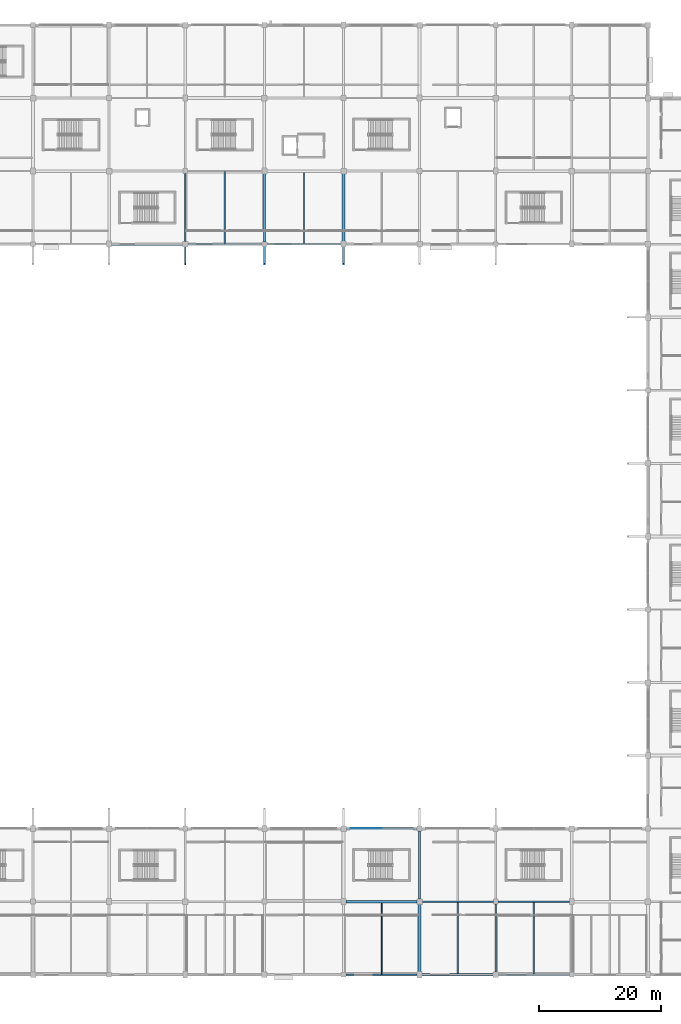
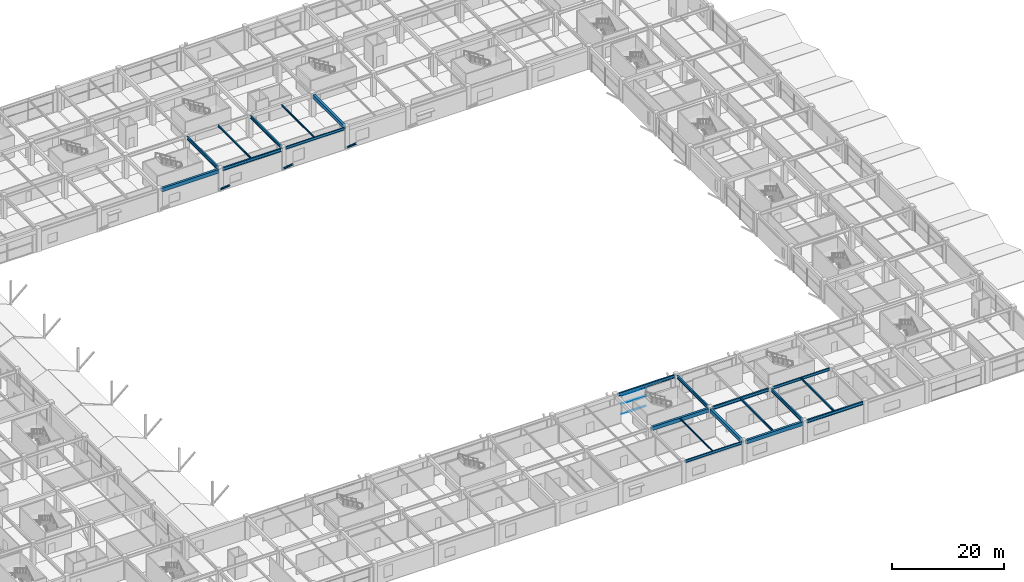
# One storey, part 31 of 116: 21 beams, 6 members, 1 element without a shape of its own.
"""IFC4 building model written with IfcOpenShell, lengths in metres."""

from ifc_helpers import new_model, si_unit, direction, frame, origin, origin_2d, place, context, subcontext, project, spatial, rectangle, i_section, extrude, material, layer, layer_set, material_profile, profile_set, type_object, element, aggregate, save


model = new_model("IFC4")

# Units and contexts
model_context = context("Model", 3, precision=1e-05, world=origin(), true_north=direction((0.0, 1.0)))
body_context = subcontext(model_context, "Body", "Model", "MODEL_VIEW")
ifc_project = project(units=[si_unit("LENGTHUNIT", "METRE"), si_unit("AREAUNIT", "SQUARE_METRE"), si_unit("VOLUMEUNIT", "CUBIC_METRE"), si_unit("PLANEANGLEUNIT", "RADIAN"), si_unit("MASSUNIT", "GRAM", prefix="KILO")], contexts=[model_context])

# Site, building, storey
site_placement = place(None, origin())
site = spatial("IfcSite", under=ifc_project, at=site_placement, CompositionType="ELEMENT")
building_placement = place(site_placement, origin())
building = spatial("IfcBuilding", under=site, at=building_placement, Name="Kazenohara Klinker Stadium", CompositionType="ELEMENT")
storey_placement = place(building_placement, frame((0.0, 0.0, 10.199951171875)))
storey = spatial("IfcBuildingStorey", under=building, at=storey_placement, Name="L02", CompositionType="ELEMENT", Elevation=10.199951171875)

# Beams
ifc_material_1 = material(Name="Steel S355", Category="steel")
ifc_material_profile_1 = material_profile(ifc_material_1, i_section(OverallWidth=0.199951171875, OverallDepth=0.5, WebThickness=0.010009765625, FlangeThickness=0.01611328125, FilletRadius=0.012939453125, at=origin_2d()), Name="H-500x200x10x16")
ifc_profile_set_1 = profile_set([ifc_material_profile_1], Name="Steel S355")
beam_type_1 = type_object("IfcBeamType", Name="BM-JST01", PredefinedType="JOIST", material=ifc_profile_set_1)
beam_1_placement = place(storey_placement, frame((143.75, 12.22509765625, 4.570068359375), z_axis=(0.0, 1.0, 0.0), x_axis=(-1.0, 0.0, 0.0)))
element("IfcBeam", 1, at=beam_1_placement, inside=storey, type_object=beam_type_1, Name="Secondary floor joist SJ01 L02 12/B", PredefinedType="JOIST", context=body_context, shape_type="SweptSolid", body=[
    extrude(i_section(OverallWidth=0.199951171875, OverallDepth=0.5, WebThickness=0.010009765625, FlangeThickness=0.01611328125, FilletRadius=0.012939453125, at=origin_2d()), origin(), (0.0, 0.0, 1.0), 11.625),
])
ifc_material_profile_2 = material_profile(ifc_material_1, i_section(OverallWidth=0.199951171875, OverallDepth=0.449951171875, WebThickness=0.009033203125, FlangeThickness=0.013916015625, FilletRadius=0.012939453125, at=origin_2d()), Name="H-450x200x9x14")
ifc_profile_set_2 = profile_set([ifc_material_profile_2], Name="Steel S355")
beam_type_2 = type_object("IfcBeamType", Name="BM-JST02", PredefinedType="JOIST", material=ifc_profile_set_2)
beam_2_placement = place(storey_placement, frame((156.25, 12.14990234375, 4.594970703125), z_axis=(0.0, 1.0, 0.0), x_axis=(-1.0, 0.0, 0.0)))
element("IfcBeam", 2, at=beam_2_placement, inside=storey, type_object=beam_type_2, Name="Secondary floor joist SJ02 L02 13/B", PredefinedType="JOIST", context=body_context, shape_type="SweptSolid", body=[
    extrude(i_section(OverallWidth=0.199951171875, OverallDepth=0.449951171875, WebThickness=0.009033203125, FlangeThickness=0.013916015625, FilletRadius=0.012939453125, at=origin_2d()), origin(), (0.0, 0.0, 1.0), 11.75),
])
ifc_material_profile_3 = material_profile(ifc_material_1, i_section(OverallWidth=0.199951171875, OverallDepth=0.39990234375, WebThickness=0.008056640625, FlangeThickness=0.012939453125, FilletRadius=0.012939453125, at=origin_2d()), Name="H-400x200x8x13")
ifc_profile_set_3 = profile_set([ifc_material_profile_3], Name="Steel S355")
beam_type_3 = type_object("IfcBeamType", Name="BM-JST03", PredefinedType="JOIST", material=ifc_profile_set_3)
beam_3_placement = place(storey_placement, frame((105.5, 132.14990234375, 4.6201171875), z_axis=(0.0, 1.0, 0.0), x_axis=(-1.0, 0.0, 0.0)))
element("IfcBeam", 3, at=beam_3_placement, inside=storey, type_object=beam_type_3, Name="Secondary floor joist SJ03 L02 9/M", PredefinedType="JOIST", context=body_context, shape_type="SweptSolid", body=[
    extrude(i_section(OverallWidth=0.199951171875, OverallDepth=0.39990234375, WebThickness=0.008056640625, FlangeThickness=0.012939453125, FilletRadius=0.012939453125, at=origin_2d()), origin(), (0.0, 0.0, 1.0), 11.75),
])
ifc_material_profile_4 = material_profile(ifc_material_1, i_section(OverallWidth=0.175048828125, OverallDepth=0.35009765625, WebThickness=0.007080078125, FlangeThickness=0.010986328125, FilletRadius=0.012939453125, at=origin_2d()), Name="H-350x175x7x11")
ifc_profile_set_4 = profile_set([ifc_material_profile_4], Name="Steel S355")
beam_type_4 = type_object("IfcBeamType", Name="BM-JST04", PredefinedType="JOIST", material=ifc_profile_set_4)
beam_4_placement = place(storey_placement, frame((118.5, 132.10009765625, 4.64501953125), z_axis=(0.0, 1.0, 0.0), x_axis=(-1.0, 0.0, 0.0)))
element("IfcBeam", 4, at=beam_4_placement, inside=storey, type_object=beam_type_4, Name="Secondary floor joist SJ04 L02 10/M", PredefinedType="JOIST", context=body_context, shape_type="SweptSolid", body=[
    extrude(i_section(OverallWidth=0.175048828125, OverallDepth=0.35009765625, WebThickness=0.007080078125, FlangeThickness=0.010986328125, FilletRadius=0.012939453125, at=origin_2d()), origin(), (0.0, 0.0, 1.0), 11.6748046875),
])
ifc_material_profile_5 = material_profile(ifc_material_1, i_section(OverallWidth=0.14990234375, OverallDepth=0.300048828125, WebThickness=0.006591796875, FlangeThickness=0.009033203125, FilletRadius=0.012939453125, at=origin_2d()), Name="H-300x150x6.5x9")
ifc_profile_set_5 = profile_set([ifc_material_profile_5], Name="Steel S355")
beam_type_5 = type_object("IfcBeamType", Name="BM-JST05", PredefinedType="JOIST", material=ifc_profile_set_5)
beam_5_placement = place(storey_placement, frame((131.25, 12.10009765625, 4.670166015625), z_axis=(0.0, 1.0, 0.0), x_axis=(-1.0, 0.0, 0.0)))
element("IfcBeam", 5, at=beam_5_placement, inside=storey, type_object=beam_type_5, Name="Secondary floor joist SJ05 L02 11/B", PredefinedType="JOIST", context=body_context, shape_type="SweptSolid", body=[
    extrude(i_section(OverallWidth=0.14990234375, OverallDepth=0.300048828125, WebThickness=0.006591796875, FlangeThickness=0.009033203125, FilletRadius=0.012939453125, at=origin_2d()), origin(), (0.0, 0.0, 1.0), 11.6748046875),
])
ifc_material_2 = material(Name="Concrete C40/50", Category="concrete")
ifc_material_profile_6 = material_profile(ifc_material_2, rectangle(XDim=0.449951171875, YDim=0.800048828125, at=origin_2d()), Name="RC-BM-450x800")
ifc_profile_set_6 = profile_set([ifc_material_profile_6], Name="Concrete C40/50")
beam_type_6 = type_object("IfcBeamType", Name="BM-RC03", PredefinedType="BEAM", material=ifc_profile_set_6)
for number, where, z_axis, x_axis, name in (
    (6, (86.89990234375, 132.0, 4.420166015625), (1.0, 0.0, 0.0), (0.0, 1.0, 0.0), "Primary girder BG03 L02 8-9/M"),
    (7, (125.39990234375, 24.0, 4.420166015625), (1.0, 0.0, 0.0), (0.0, 1.0, 0.0), "Primary girder BG03 L02 11-12/C"),
    (8, (137.89990234375, 12.0, 4.420166015625), (1.0, 0.0, 0.0), (0.0, 1.0, 0.0), "Primary girder BG03 L02 12-13/B"),
):
    element("IfcBeam", number, at=place(storey_placement, frame(where, z_axis=z_axis, x_axis=x_axis)), inside=storey, type_object=beam_type_6, Name=name, PredefinedType="BEAM", context=body_context, shape_type="SweptSolid", body=[
        extrude(rectangle(XDim=0.449951171875, YDim=0.800048828125, at=origin_2d()), origin(), (0.0, 0.0, 1.0), 11.68017578125),
    ])
for number, where, z_axis, x_axis, name in (
    (9, (125.0, 132.419921875, 4.420166015625), (0.0, 1.0, 0.0), (-1.0, 0.0, 0.0), "Primary girder BG03 L02 11/M-N"),
    (10, (137.5, 12.419921875, 4.420166015625), (0.0, 1.0, 0.0), (-1.0, 0.0, 0.0), "Primary girder BG03 L02 12/B-C"),
):
    element("IfcBeam", number, at=place(storey_placement, frame(where, z_axis=z_axis, x_axis=x_axis)), inside=storey, type_object=beam_type_6, Name=name, PredefinedType="BEAM", context=body_context, shape_type="SweptSolid", body=[
        extrude(rectangle(XDim=0.449951171875, YDim=0.800048828125, at=origin_2d()), origin(), (0.0, 0.0, 1.0), 11.16015625),
    ])
ifc_material_profile_7 = material_profile(ifc_material_1, i_section(OverallWidth=0.300048828125, OverallDepth=0.699951171875, WebThickness=0.012939453125, FlangeThickness=0.02392578125, FilletRadius=0.02197265625, at=origin_2d()), Name="H-700x300x13x24")
ifc_profile_set_7 = profile_set([ifc_material_profile_7], Name="Steel S355")
beam_type_7 = type_object("IfcBeamType", Name="BM-ST03", PredefinedType="BEAM", material=ifc_profile_set_7)
beam_6_placement = place(storey_placement, frame((99.419921875, 132.0, 4.469970703125), z_axis=(1.0, 0.0, 0.0), x_axis=(0.0, 1.0, 0.0)))
element("IfcBeam", 11, at=beam_6_placement, inside=storey, type_object=beam_type_7, Name="Primary girder SB03 L02 9-10/M", PredefinedType="BEAM", context=body_context, shape_type="SweptSolid", body=[
    extrude(i_section(OverallWidth=0.300048828125, OverallDepth=0.699951171875, WebThickness=0.012939453125, FlangeThickness=0.02392578125, FilletRadius=0.02197265625, at=origin_2d()), origin(), (0.0, 0.0, 1.0), 12.18017578125),
])
for number, where, z_axis, x_axis, name in (
    (12, (125.419921875, 36.0, 4.469970703125), (1.0, 0.0, 0.0), (0.0, 1.0, 0.0), "Primary girder SB03 L02 11-12/D"),
    (13, (137.919921875, 24.0, 4.469970703125), (1.0, 0.0, 0.0), (0.0, 1.0, 0.0), "Primary girder SB03 L02 12-13/C"),
    (14, (150.419921875, 12.0, 4.469970703125), (1.0, 0.0, 0.0), (0.0, 1.0, 0.0), "Primary girder SB03 L02 13-14/B"),
):
    element("IfcBeam", number, at=place(storey_placement, frame(where, z_axis=z_axis, x_axis=x_axis)), inside=storey, type_object=beam_type_7, Name=name, PredefinedType="BEAM", context=body_context, shape_type="SweptSolid", body=[
        extrude(i_section(OverallWidth=0.300048828125, OverallDepth=0.699951171875, WebThickness=0.012939453125, FlangeThickness=0.02392578125, FilletRadius=0.02197265625, at=origin_2d()), origin(), (0.0, 0.0, 1.0), 11.68017578125),
    ])
for number, where, z_axis, x_axis, name in (
    (15, (99.0, 132.419921875, 4.469970703125), (0.0, 1.0, 0.0), (-1.0, 0.0, 0.0), "Primary girder SB03 L02 9/M-N"),
    (16, (137.5, 24.419921875, 4.469970703125), (0.0, 1.0, 0.0), (-1.0, 0.0, 0.0), "Primary girder SB03 L02 12/C-D"),
    (17, (150.0, 12.419921875, 4.469970703125), (0.0, 1.0, 0.0), (-1.0, 0.0, 0.0), "Primary girder SB03 L02 13/B-C"),
):
    element("IfcBeam", number, at=place(storey_placement, frame(where, z_axis=z_axis, x_axis=x_axis)), inside=storey, type_object=beam_type_7, Name=name, PredefinedType="BEAM", context=body_context, shape_type="SweptSolid", body=[
        extrude(i_section(OverallWidth=0.300048828125, OverallDepth=0.699951171875, WebThickness=0.012939453125, FlangeThickness=0.02392578125, FilletRadius=0.02197265625, at=origin_2d()), origin(), (0.0, 0.0, 1.0), 11.18017578125),
    ])
ifc_material_profile_8 = material_profile(ifc_material_1, i_section(OverallWidth=0.199951171875, OverallDepth=0.60009765625, WebThickness=0.010986328125, FlangeThickness=0.01708984375, FilletRadius=0.012939453125, at=origin_2d()), Name="H-600x200x11x17")
ifc_profile_set_8 = profile_set([ifc_material_profile_8], Name="Steel S355")
beam_type_8 = type_object("IfcBeamType", Name="BM-ST04", PredefinedType="BEAM", material=ifc_profile_set_8)
beam_7_placement = place(storey_placement, frame((112.39990234375, 132.0, 4.52001953125), z_axis=(1.0, 0.0, 0.0), x_axis=(0.0, 1.0, 0.0)))
element("IfcBeam", 18, at=beam_7_placement, inside=storey, type_object=beam_type_8, Name="Primary girder SB04 L02 10-11/M", PredefinedType="BEAM", context=body_context, shape_type="SweptSolid", body=[
    extrude(i_section(OverallWidth=0.199951171875, OverallDepth=0.60009765625, WebThickness=0.010986328125, FlangeThickness=0.01708984375, FilletRadius=0.012939453125, at=origin_2d()), origin(), (0.0, 0.0, 1.0), 12.2001953125),
])
for number, where, z_axis, x_axis, name in (
    (19, (125.39990234375, 12.0, 4.52001953125), (1.0, 0.0, 0.0), (0.0, 1.0, 0.0), "Primary girder SB04 L02 11-12/B"),
    (20, (150.39990234375, 24.0, 4.52001953125), (1.0, 0.0, 0.0), (0.0, 1.0, 0.0), "Primary girder SB04 L02 13-14/C"),
):
    element("IfcBeam", number, at=place(storey_placement, frame(where, z_axis=z_axis, x_axis=x_axis)), inside=storey, type_object=beam_type_8, Name=name, PredefinedType="BEAM", context=body_context, shape_type="SweptSolid", body=[
        extrude(i_section(OverallWidth=0.199951171875, OverallDepth=0.60009765625, WebThickness=0.010986328125, FlangeThickness=0.01708984375, FilletRadius=0.012939453125, at=origin_2d()), origin(), (0.0, 0.0, 1.0), 11.7001953125),
    ])
ifc_material_profile_9 = material_profile(ifc_material_1, i_section(OverallWidth=0.300048828125, OverallDepth=0.587890625, WebThickness=0.011962890625, FlangeThickness=0.02001953125, FilletRadius=0.02197265625, at=origin_2d()), Name="H-588x300x12x20")
ifc_profile_set_9 = profile_set([ifc_material_profile_9], Name="Steel S355")
beam_type_9 = type_object("IfcBeamType", Name="BM-ST05", PredefinedType="BEAM", material=ifc_profile_set_9)
beam_8_placement = place(storey_placement, frame((112.0, 132.39990234375, 4.526123046875), z_axis=(0.0, 1.0, 0.0), x_axis=(-1.0, 0.0, 0.0)))
element("IfcBeam", 21, at=beam_8_placement, inside=storey, type_object=beam_type_9, Name="Primary girder SB05 L02 10/M-N", PredefinedType="BEAM", context=body_context, shape_type="SweptSolid", body=[
    extrude(i_section(OverallWidth=0.300048828125, OverallDepth=0.587890625, WebThickness=0.011962890625, FlangeThickness=0.02001953125, FilletRadius=0.02197265625, at=origin_2d()), origin(), (0.0, 0.0, 1.0), 11.18017578125),
])

# Curtain wall, members
ifc_material_3 = material(Name="Anodised aluminium and triple glazing", Category="aluminium")
ifc_layer = layer(ifc_material_3, 0.18994140625)
ifc_layer_set = layer_set([ifc_layer], Name="Anodised aluminium and triple glazing")
curtain_wall_type = type_object("IfcCurtainWallType", Name="CW-SYS-05", PredefinedType="USERDEFINED", material=ifc_layer_set)
curtain_wall_placement = place(storey_placement, origin())
curtain_wall = element("IfcCurtainWall", 22, at=curtain_wall_placement, inside=storey, type_object=curtain_wall_type, Name="Unitised facade curtain wall CW05 L02 X10-3", ObjectType="UNITISED CURTAIN WALL", PredefinedType="USERDEFINED")
ifc_material_4 = material(Name="Anodised aluminium 6063-T6", Category="aluminium")
ifc_material_profile_10 = material_profile(ifc_material_4, rectangle(XDim=0.06494140625, YDim=0.139892578125, at=origin_2d()), Name="ALU-TRN-65x140")
ifc_profile_set_10 = profile_set([ifc_material_profile_10], Name="Anodised aluminium 6063-T6")
member_type_1 = type_object("IfcMemberType", Name="CW-TRN-140", PredefinedType="USERDEFINED", material=ifc_profile_set_10)
member_1_placement = place(storey_placement, frame((126.1689453125, 36.0, 0.032470703125), z_axis=(1.0, 0.0, 0.0), x_axis=(0.0, 1.0, 0.0)))
member_1 = element("IfcMember", 23, at=member_1_placement, type_object=member_type_1, Name="CW05 transom 1.1", ObjectType="TRANSOM", PredefinedType="USERDEFINED", context=body_context, shape_type="SweptSolid", body=[
    extrude(rectangle(XDim=0.06494140625, YDim=0.139892578125, at=origin_2d()), origin(), (0.0, 0.0, 1.0), 5.073486328125),
])
member_2_placement = place(storey_placement, frame((126.1689453125, 36.0, 2.26611328125), z_axis=(1.0, 0.0, 0.0), x_axis=(0.0, 1.0, 0.0)))
member_2 = element("IfcMember", 24, at=member_2_placement, type_object=member_type_1, Name="CW05 transom 1.2", ObjectType="TRANSOM", PredefinedType="USERDEFINED", context=body_context, shape_type="SweptSolid", body=[
    extrude(rectangle(XDim=0.06494140625, YDim=0.139892578125, at=origin_2d()), origin(), (0.0, 0.0, 1.0), 5.073486328125),
])
member_3_placement = place(storey_placement, frame((126.1689453125, 36.0, 4.087646484375), z_axis=(1.0, 0.0, 0.0), x_axis=(0.0, 1.0, 0.0)))
member_3 = element("IfcMember", 25, at=member_3_placement, type_object=member_type_1, Name="CW05 transom 1.3", ObjectType="TRANSOM", PredefinedType="USERDEFINED", context=body_context, shape_type="SweptSolid", body=[
    extrude(rectangle(XDim=0.06494140625, YDim=0.139892578125, at=origin_2d()), origin(), (0.0, 0.0, 1.0), 5.073486328125),
])
aggregate(curtain_wall, [member_1, member_2, member_3])

# Members
ifc_material_profile_11 = material_profile(ifc_material_1, i_section(OverallWidth=0.300048828125, OverallDepth=0.300048828125, WebThickness=0.010009765625, FlangeThickness=0.014892578125, FilletRadius=0.012939453125, at=origin_2d()), Name="H-300x300x10x15")
ifc_profile_set_11 = profile_set([ifc_material_profile_11], Name="Steel S355")
member_type_2 = type_object("IfcMemberType", Name="MEM-BRC01", PredefinedType="BRACE", material=ifc_profile_set_11)
for number, where, z_axis, x_axis, name in (
    (26, (99.0, 132.0, 0.199951171875), (0.0, -0.750987889423, 0.660315977347), (1.0, 0.0, 0.0), "Upper bowl raking bracket strut BR01 North 9"),
    (27, (112.0, 132.0, 0.199951171875), (0.0, -0.750987889423, 0.660315977347), (1.0, 0.0, 0.0), "Upper bowl raking bracket strut BR01 North 10"),
    (28, (125.0, 132.0, 0.199951171875), (0.0, -0.750987889423, 0.660315977347), (1.0, 0.0, 0.0), "Upper bowl raking bracket strut BR01 North 11"),
):
    element("IfcMember", number, at=place(storey_placement, frame(where, z_axis=z_axis, x_axis=x_axis)), inside=storey, type_object=member_type_2, Name=name, PredefinedType="BRACE", context=body_context, shape_type="SweptSolid", body=[
        extrude(i_section(OverallWidth=0.300048828125, OverallDepth=0.300048828125, WebThickness=0.010009765625, FlangeThickness=0.014892578125, FilletRadius=0.012939453125, at=origin_2d()), origin(), (0.0, 0.0, 1.0), 4.394287109375),
    ])

save(model, "model.ifc")
